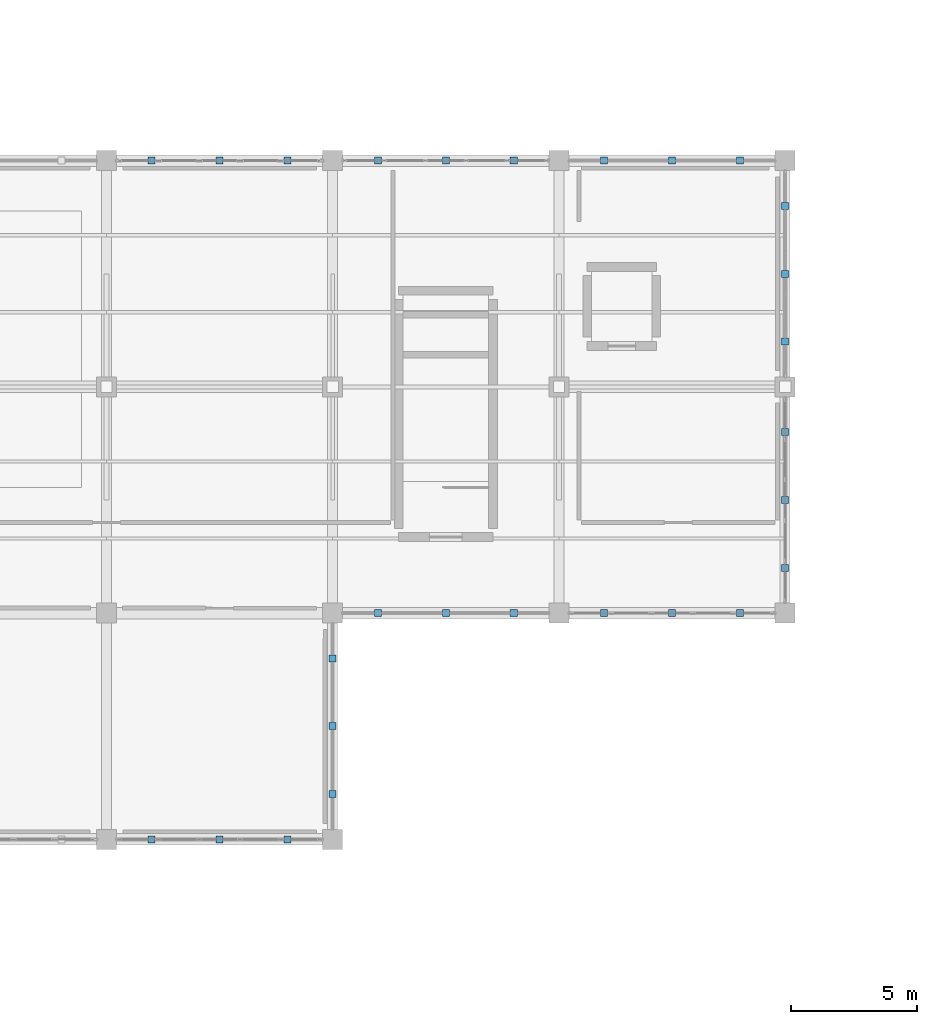
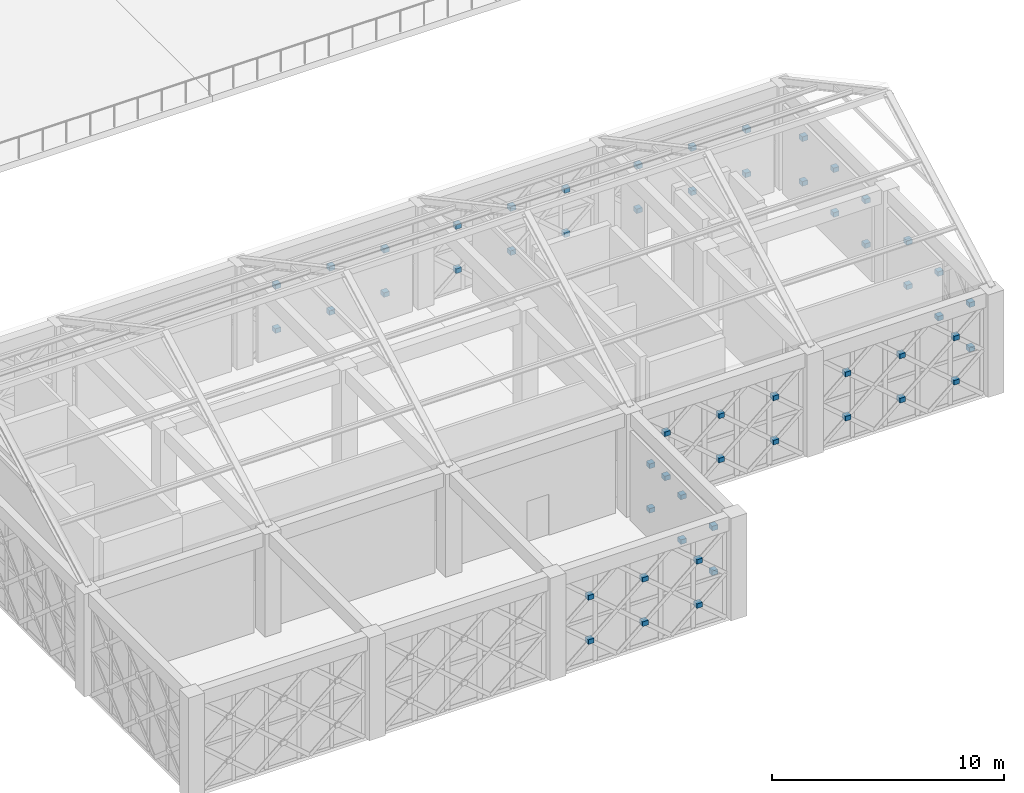
# One storey, part 79 of 86: 54 discrete accessories.
"""IFC4 building model written with IfcOpenShell, lengths in metres."""

from ifc_helpers import new_model, si_unit, direction, frame, origin, origin_2d, place, context, subcontext, project, spatial, rectangle, extrude, material, type_object, element, save


model = new_model("IFC4")

# Units and contexts
model_context = context("Model", 3, precision=1e-05, world=origin(), true_north=direction((0.0, 1.0)))
body_context = subcontext(model_context, "Body", "Model", "MODEL_VIEW")
ifc_project = project(units=[si_unit("LENGTHUNIT", "METRE"), si_unit("AREAUNIT", "SQUARE_METRE"), si_unit("VOLUMEUNIT", "CUBIC_METRE"), si_unit("PLANEANGLEUNIT", "RADIAN"), si_unit("MASSUNIT", "GRAM", prefix="KILO")], contexts=[model_context])

# Site, building, storey
site_placement = place(None, origin())
site = spatial("IfcSite", under=ifc_project, at=site_placement, CompositionType="ELEMENT")
building_placement = place(site_placement, origin())
building = spatial("IfcBuilding", under=site, at=building_placement, Name="Haizhuo Lancet Aquarium", CompositionType="ELEMENT")
storey_placement = place(building_placement, frame((0.0, 0.0, 16.199951171875)))
storey = spatial("IfcBuildingStorey", under=building, at=storey_placement, Name="L03", CompositionType="ELEMENT", Elevation=16.199951171875)

# Discrete accessories
ifc_material = material(Name="Steel S355", Category="steel")
discrete_accessory_type = type_object("IfcDiscreteAccessoryType", Name="ACC-END-CAP", PredefinedType="BRACKET", material=ifc_material)
for number, where, z_axis, x_axis, name in (
    (1, (46.797119140625, -9.0, 1.0419921875), (0.0, 0.0, 1.0), (1.0, 0.0, 0.0), "L03 X-brace crossing gusset plate XN-CW-V3-L03-069-LB01B1"),
    (2, (46.797119140625, -9.0, 3.3681640625), (0.0, 0.0, 1.0), (1.0, 0.0, 0.0), "L03 X-brace crossing gusset plate XN-CW-V3-L03-069-LB02B1"),
    (3, (49.5, -9.0, 1.0419921875), (0.0, 0.0, 1.0), (1.0, 0.0, 0.0), "L03 X-brace crossing gusset plate XN-CW-V3-L03-069-LB03B1"),
    (4, (49.5, -9.0, 3.3681640625), (0.0, 0.0, 1.0), (1.0, 0.0, 0.0), "L03 X-brace crossing gusset plate XN-CW-V3-L03-069-LB04B1"),
    (5, (52.202880859375, -9.0, 1.0419921875), (0.0, 0.0, 1.0), (1.0, 0.0, 0.0), "L03 X-brace crossing gusset plate XN-CW-V3-L03-069-LB05B1"),
    (6, (52.202880859375, -9.0, 3.3681640625), (0.0, 0.0, 1.0), (1.0, 0.0, 0.0), "L03 X-brace crossing gusset plate XN-CW-V3-L03-069-LB06B1"),
    (7, (55.797119140625, -9.0, 1.0419921875), (0.0, 0.0, 1.0), (1.0, 0.0, 0.0), "L03 X-brace crossing gusset plate XN-CW-V3-L03-070-LB01B1"),
    (8, (55.797119140625, -9.0, 3.3681640625), (0.0, 0.0, 1.0), (1.0, 0.0, 0.0), "L03 X-brace crossing gusset plate XN-CW-V3-L03-070-LB02B1"),
    (9, (58.5, -9.0, 1.0419921875), (0.0, 0.0, 1.0), (1.0, 0.0, 0.0), "L03 X-brace crossing gusset plate XN-CW-V3-L03-070-LB03B1"),
    (10, (58.5, -9.0, 3.3681640625), (0.0, 0.0, 1.0), (1.0, 0.0, 0.0), "L03 X-brace crossing gusset plate XN-CW-V3-L03-070-LB04B1"),
    (11, (61.202880859375, -9.0, 1.0419921875), (0.0, 0.0, 1.0), (1.0, 0.0, 0.0), "L03 X-brace crossing gusset plate XN-CW-V3-L03-070-LB05B1"),
    (12, (61.202880859375, -9.0, 3.3681640625), (0.0, 0.0, 1.0), (1.0, 0.0, 0.0), "L03 X-brace crossing gusset plate XN-CW-V3-L03-070-LB06B1"),
    (13, (64.7958984375, -9.0, 1.0419921875), (0.0, 0.0, 1.0), (1.0, 0.0, 0.0), "L03 X-brace crossing gusset plate XN-CW-V3-L03-071-LB01B1"),
    (14, (64.7958984375, -9.0, 3.3681640625), (0.0, 0.0, 1.0), (1.0, 0.0, 0.0), "L03 X-brace crossing gusset plate XN-CW-V3-L03-071-LB02B1"),
    (15, (67.5, -9.0, 1.0419921875), (0.0, 0.0, 1.0), (1.0, 0.0, 0.0), "L03 X-brace crossing gusset plate XN-CW-V3-L03-071-LB03B1"),
    (16, (67.5, -9.0, 3.3681640625), (0.0, 0.0, 1.0), (1.0, 0.0, 0.0), "L03 X-brace crossing gusset plate XN-CW-V3-L03-071-LB04B1"),
    (17, (70.2041015625, -9.0, 1.0419921875), (0.0, 0.0, 1.0), (1.0, 0.0, 0.0), "L03 X-brace crossing gusset plate XN-CW-V3-L03-071-LB05B1"),
    (18, (70.2041015625, -9.0, 3.3681640625), (0.0, 0.0, 1.0), (1.0, 0.0, 0.0), "L03 X-brace crossing gusset plate XN-CW-V3-L03-071-LB06B1"),
    (19, (72.0, -10.7958984375, 1.05517578125), (0.0, 0.0, 1.0), (1.0, 0.0, 0.0), "L03 X-brace crossing gusset plate XN-CW-V3-L03-072-LB01B1"),
    (20, (72.0, -10.7958984375, 3.4052734375), (0.0, 0.0, 1.0), (1.0, 0.0, 0.0), "L03 X-brace crossing gusset plate XN-CW-V3-L03-072-LB02B1"),
    (21, (72.0, -13.5, 1.05517578125), (0.0, 0.0, 1.0), (1.0, 0.0, 0.0), "L03 X-brace crossing gusset plate XN-CW-V3-L03-072-LB03B1"),
    (22, (72.0, -13.5, 3.4052734375), (0.0, 0.0, 1.0), (1.0, 0.0, 0.0), "L03 X-brace crossing gusset plate XN-CW-V3-L03-072-LB04B1"),
    (23, (72.0, -16.202880859375, 1.05517578125), (0.0, 0.0, 1.0), (1.0, 0.0, 0.0), "L03 X-brace crossing gusset plate XN-CW-V3-L03-072-LB05B1"),
    (24, (72.0, -16.202880859375, 3.4052734375), (0.0, 0.0, 1.0), (1.0, 0.0, 0.0), "L03 X-brace crossing gusset plate XN-CW-V3-L03-072-LB06B1"),
    (25, (72.0, -19.797119140625, 1.05517578125), (0.0, 0.0, 1.0), (1.0, 0.0, 0.0), "L03 X-brace crossing gusset plate XN-CW-V3-L03-073-LB01B1"),
    (26, (72.0, -19.797119140625, 3.4052734375), (0.0, 0.0, 1.0), (1.0, 0.0, 0.0), "L03 X-brace crossing gusset plate XN-CW-V3-L03-073-LB02B1"),
    (27, (72.0, -22.5, 1.05517578125), (0.0, 0.0, 1.0), (1.0, 0.0, 0.0), "L03 X-brace crossing gusset plate XN-CW-V3-L03-073-LB03B1"),
    (28, (72.0, -22.5, 3.4052734375), (0.0, 0.0, 1.0), (1.0, 0.0, 0.0), "L03 X-brace crossing gusset plate XN-CW-V3-L03-073-LB04B1"),
    (29, (72.0, -25.202880859375, 1.05517578125), (0.0, 0.0, 1.0), (1.0, 0.0, 0.0), "L03 X-brace crossing gusset plate XN-CW-V3-L03-073-LB05B1"),
    (30, (72.0, -25.202880859375, 3.4052734375), (0.0, 0.0, 1.0), (1.0, 0.0, 0.0), "L03 X-brace crossing gusset plate XN-CW-V3-L03-073-LB06B1"),
    (31, (70.2041015625, -27.0, 1.0419921875), (0.0, 0.0, 1.0), (1.0, 0.0, 0.0), "L03 X-brace crossing gusset plate XN-CW-V3-L03-074-LB01B1"),
    (32, (70.2041015625, -27.0, 3.3681640625), (0.0, 0.0, 1.0), (1.0, 0.0, 0.0), "L03 X-brace crossing gusset plate XN-CW-V3-L03-074-LB02B1"),
    (33, (67.5, -27.0, 1.0419921875), (0.0, 0.0, 1.0), (1.0, 0.0, 0.0), "L03 X-brace crossing gusset plate XN-CW-V3-L03-074-LB03B1"),
    (34, (67.5, -27.0, 3.3681640625), (0.0, 0.0, 1.0), (1.0, 0.0, 0.0), "L03 X-brace crossing gusset plate XN-CW-V3-L03-074-LB04B1"),
    (35, (64.7958984375, -27.0, 1.0419921875), (0.0, 0.0, 1.0), (1.0, 0.0, 0.0), "L03 X-brace crossing gusset plate XN-CW-V3-L03-074-LB05B1"),
    (36, (64.7958984375, -27.0, 3.3681640625), (0.0, 0.0, 1.0), (1.0, 0.0, 0.0), "L03 X-brace crossing gusset plate XN-CW-V3-L03-074-LB06B1"),
    (37, (61.202880859375, -27.0, 1.0419921875), (0.0, 0.0, 1.0), (1.0, 0.0, 0.0), "L03 X-brace crossing gusset plate XN-CW-V3-L03-075-LB01B1"),
    (38, (61.202880859375, -27.0, 3.3681640625), (0.0, 0.0, 1.0), (1.0, 0.0, 0.0), "L03 X-brace crossing gusset plate XN-CW-V3-L03-075-LB02B1"),
    (39, (58.5, -27.0, 1.0419921875), (0.0, 0.0, 1.0), (1.0, 0.0, 0.0), "L03 X-brace crossing gusset plate XN-CW-V3-L03-075-LB03B1"),
    (40, (58.5, -27.0, 3.3681640625), (0.0, 0.0, 1.0), (1.0, 0.0, 0.0), "L03 X-brace crossing gusset plate XN-CW-V3-L03-075-LB04B1"),
    (41, (55.797119140625, -27.0, 1.0419921875), (0.0, 0.0, 1.0), (1.0, 0.0, 0.0), "L03 X-brace crossing gusset plate XN-CW-V3-L03-075-LB05B1"),
    (42, (55.797119140625, -27.0, 3.3681640625), (0.0, 0.0, 1.0), (1.0, 0.0, 0.0), "L03 X-brace crossing gusset plate XN-CW-V3-L03-075-LB06B1"),
    (43, (54.0, -28.797119140625, 1.05517578125), (0.0, 0.0, 1.0), (1.0, 0.0, 0.0), "L03 X-brace crossing gusset plate XN-CW-V3-L03-076-LB01B1"),
    (44, (54.0, -28.797119140625, 3.4052734375), (0.0, 0.0, 1.0), (1.0, 0.0, 0.0), "L03 X-brace crossing gusset plate XN-CW-V3-L03-076-LB02B1"),
    (45, (54.0, -31.5, 1.05517578125), (0.0, 0.0, 1.0), (1.0, 0.0, 0.0), "L03 X-brace crossing gusset plate XN-CW-V3-L03-076-LB03B1"),
    (46, (54.0, -31.5, 3.4052734375), (0.0, 0.0, 1.0), (1.0, 0.0, 0.0), "L03 X-brace crossing gusset plate XN-CW-V3-L03-076-LB04B1"),
    (47, (54.0, -34.202880859375, 1.05517578125), (0.0, 0.0, 1.0), (1.0, 0.0, 0.0), "L03 X-brace crossing gusset plate XN-CW-V3-L03-076-LB05B1"),
    (48, (54.0, -34.202880859375, 3.4052734375), (0.0, 0.0, 1.0), (1.0, 0.0, 0.0), "L03 X-brace crossing gusset plate XN-CW-V3-L03-076-LB06B1"),
    (49, (52.202880859375, -36.0, 1.0419921875), (0.0, 0.0, 1.0), (1.0, 0.0, 0.0), "L03 X-brace crossing gusset plate XN-CW-V3-L03-077-LB01B1"),
    (50, (52.202880859375, -36.0, 3.3681640625), (0.0, 0.0, 1.0), (1.0, 0.0, 0.0), "L03 X-brace crossing gusset plate XN-CW-V3-L03-077-LB02B1"),
    (51, (49.5, -36.0, 1.0419921875), (0.0, 0.0, 1.0), (1.0, 0.0, 0.0), "L03 X-brace crossing gusset plate XN-CW-V3-L03-077-LB03B1"),
    (52, (49.5, -36.0, 3.3681640625), (0.0, 0.0, 1.0), (1.0, 0.0, 0.0), "L03 X-brace crossing gusset plate XN-CW-V3-L03-077-LB04B1"),
    (53, (46.797119140625, -36.0, 1.0419921875), (0.0, 0.0, 1.0), (1.0, 0.0, 0.0), "L03 X-brace crossing gusset plate XN-CW-V3-L03-077-LB05B1"),
    (54, (46.797119140625, -36.0, 3.3681640625), (0.0, 0.0, 1.0), (1.0, 0.0, 0.0), "L03 X-brace crossing gusset plate XN-CW-V3-L03-077-LB06B1"),
):
    element("IfcDiscreteAccessory", number, at=place(storey_placement, frame(where, z_axis=z_axis, x_axis=x_axis)), inside=storey, type_object=discrete_accessory_type, material=ifc_material, Name=name, PredefinedType="BRACKET", context=body_context, shape_type="SweptSolid", body=[
        extrude(rectangle(XDim=0.280029296875, YDim=0.280029296875, at=origin_2d()), origin(), (0.0, 0.0, 1.0), 0.239990234375),
    ])

save(model, "model.ifc")
